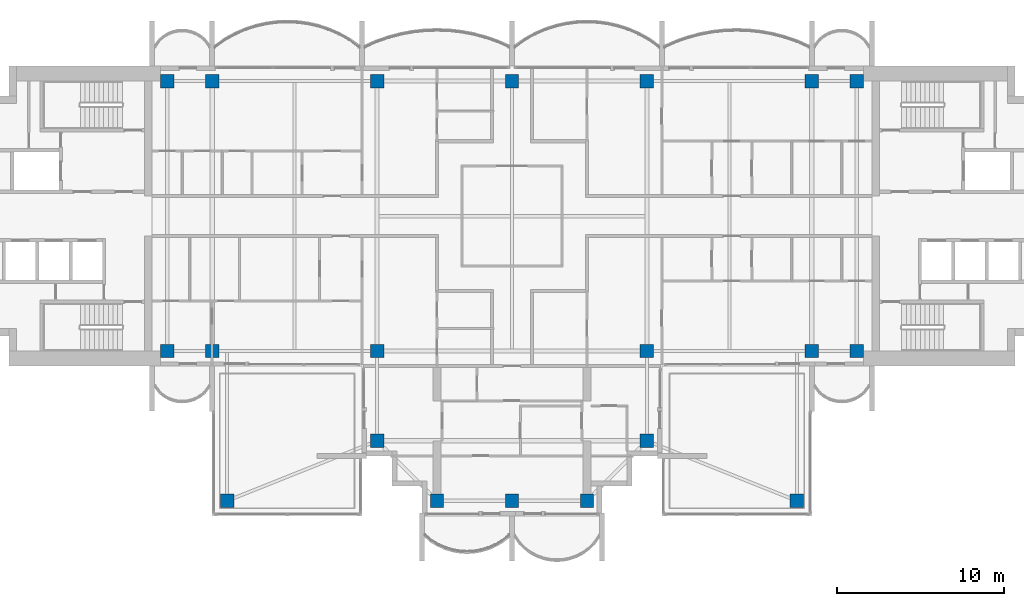
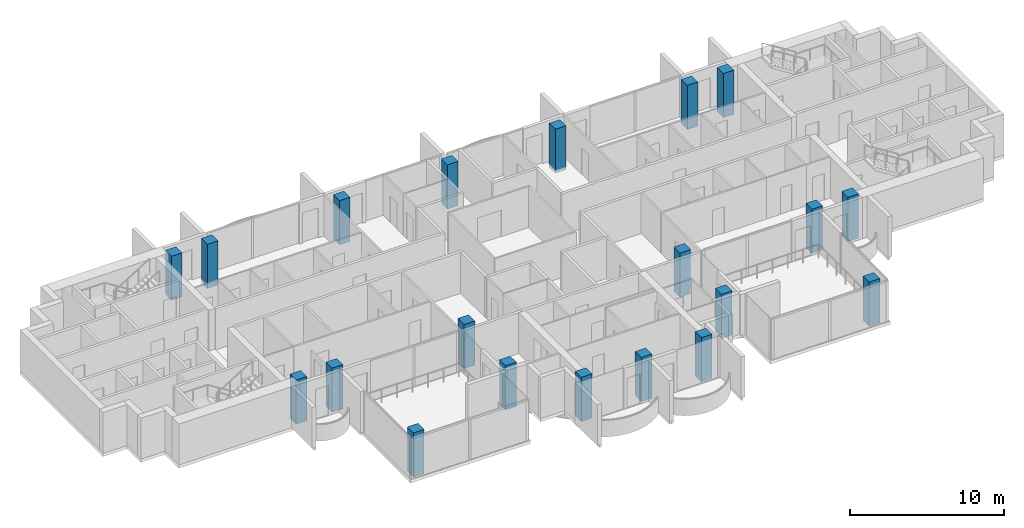
# One storey, part 1 of 16: 20 columns.
"""IFC4 building model written with IfcOpenShell, lengths in metres."""

from ifc_helpers import new_model, si_unit, direction, frame, origin, origin_2d, place, context, subcontext, project, spatial, rectangle, extrude, material, material_profile, profile_set, type_object, element, save


model = new_model("IFC4")

# Units and contexts
model_context = context("Model", 3, precision=1e-05, world=origin(), true_north=direction((0.0, 1.0)))
body_context = subcontext(model_context, "Body", "Model", "MODEL_VIEW")
ifc_project = project(units=[si_unit("LENGTHUNIT", "METRE"), si_unit("AREAUNIT", "SQUARE_METRE"), si_unit("VOLUMEUNIT", "CUBIC_METRE"), si_unit("PLANEANGLEUNIT", "RADIAN"), si_unit("MASSUNIT", "GRAM", prefix="KILO")], contexts=[model_context])

# Site, building, storey
site_placement = place(None, origin())
site = spatial("IfcSite", under=ifc_project, at=site_placement, CompositionType="ELEMENT")
building_placement = place(site_placement, origin())
building = spatial("IfcBuilding", under=site, at=building_placement, Name="Perihelion Cross Residences", CompositionType="ELEMENT")
storey_placement = place(building_placement, frame((0.0, 0.0, 243.0)))
storey = spatial("IfcBuildingStorey", under=building, at=storey_placement, Name="L61", CompositionType="ELEMENT", Elevation=243.0)

# Columns
ifc_material = material(Name="Concrete C50/60", Category="concrete")
ifc_material_profile = material_profile(ifc_material, rectangle(XDim=0.800048828125, YDim=0.800048828125, at=origin_2d()), Name="RC 800x800")
ifc_profile_set = profile_set([ifc_material_profile], Name="Concrete C50/60")
column_type = type_object("IfcColumnType", Name="Reinforced concrete column 800x800 C50/60", PredefinedType="COLUMN", material=ifc_profile_set)
for number, where, z_axis, x_axis, name in (
    (1, (-20.699951171875, -8.10009765625, -0.25), (0.0, 0.0, 1.0), (1.0, 0.0, 0.0), "Column C017 L61 no. 1"),
    (2, (-20.699951171875, 8.10009765625, -0.25), (0.0, 0.0, 1.0), (1.0, 0.0, 0.0), "Column C010 L61 no. 1"),
    (3, (-18.0, -8.10009765625, -0.25), (0.0, 0.0, 1.0), (1.0, 0.0, 0.0), "Column C018 L61 no. 1"),
    (4, (-18.0, 8.10009765625, -0.25), (0.0, 0.0, 1.0), (1.0, 0.0, 0.0), "Column C011 L61 no. 1"),
    (5, (-8.10009765625, -13.5, -0.25), (0.0, 0.0, 1.0), (1.0, 0.0, 0.0), "Column C025 L61 no. 1"),
    (6, (-8.10009765625, -8.10009765625, -0.25), (0.0, 0.0, 1.0), (1.0, 0.0, 0.0), "Column C019 L61 no. 1"),
    (7, (-8.10009765625, 8.10009765625, -0.25), (0.0, 0.0, 1.0), (1.0, 0.0, 0.0), "Column C012 L61 no. 1"),
    (8, (-4.5, -17.10009765625, -0.25), (0.0, 0.0, 1.0), (1.0, 0.0, 0.0), "Column C032 L61 no. 1"),
    (9, (0.0, -17.10009765625, -0.25), (0.0, 0.0, 1.0), (1.0, 0.0, 0.0), "Column C033 L61 no. 1"),
    (10, (0.0, 8.10009765625, -0.25), (0.0, 0.0, 1.0), (1.0, 0.0, 0.0), "Column C013 L61 no. 1"),
    (11, (4.5, -17.10009765625, -0.25), (0.0, 0.0, 1.0), (1.0, 0.0, 0.0), "Column C034 L61 no. 1"),
    (12, (8.10009765625, -13.5, -0.25), (0.0, 0.0, 1.0), (1.0, 0.0, 0.0), "Column C029 L61 no. 1"),
    (13, (8.10009765625, -8.10009765625, -0.25), (0.0, 0.0, 1.0), (1.0, 0.0, 0.0), "Column C020 L61 no. 1"),
    (14, (8.10009765625, 8.10009765625, -0.25), (0.0, 0.0, 1.0), (1.0, 0.0, 0.0), "Column C014 L61 no. 1"),
    (15, (18.0, -8.10009765625, -0.25), (0.0, 0.0, 1.0), (1.0, 0.0, 0.0), "Column C021 L61 no. 1"),
    (16, (18.0, 8.10009765625, -0.25), (0.0, 0.0, 1.0), (1.0, 0.0, 0.0), "Column C015 L61 no. 1"),
    (17, (20.699951171875, -8.10009765625, -0.25), (0.0, 0.0, 1.0), (1.0, 0.0, 0.0), "Column C022 L61 no. 1"),
    (18, (20.699951171875, 8.10009765625, -0.25), (0.0, 0.0, 1.0), (1.0, 0.0, 0.0), "Column C016 L61 no. 1"),
    (19, (-17.10009765625, -17.10009765625, -0.25), (0.0, 0.0, 1.0), (1.0, 0.0, 0.0), "Column C030 L61 no. 1"),
    (20, (17.10009765625, -17.10009765625, -0.25), (0.0, 0.0, 1.0), (1.0, 0.0, 0.0), "Column C036 L61 no. 1"),
):
    element("IfcColumn", number, at=place(storey_placement, frame(where, z_axis=z_axis, x_axis=x_axis)), inside=storey, type_object=column_type, Name=name, PredefinedType="COLUMN", context=body_context, shape_type="SweptSolid", body=[
        extrude(rectangle(XDim=0.800048828125, YDim=0.800048828125, at=origin_2d()), origin(), (0.0, 0.0, 1.0), 3.5),
    ])

save(model, "model.ifc")
